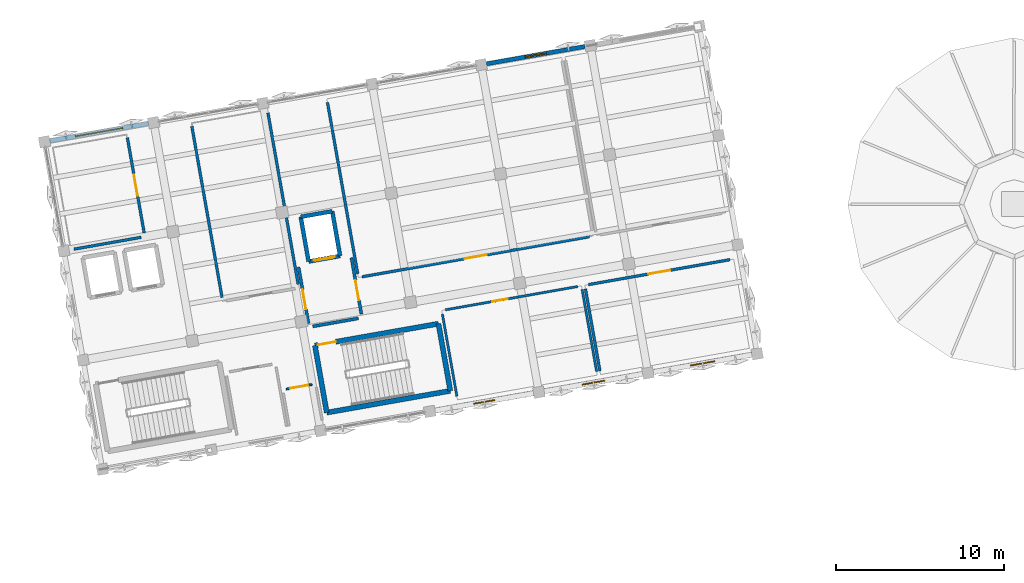
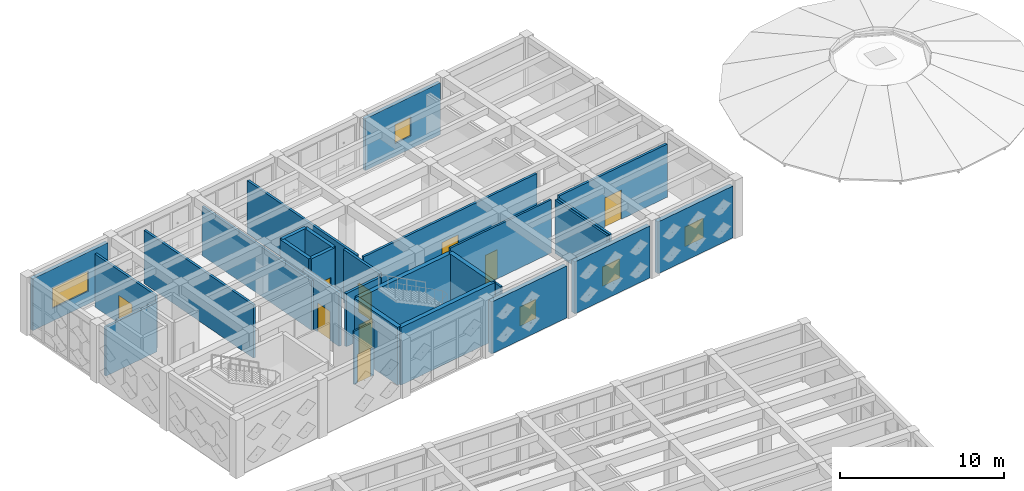
# One storey, part 56 of 67: 28 walls, 9 doors, 5 windows, 14 openings.
"""IFC4 building model written with IfcOpenShell, lengths in metres."""

from ifc_helpers import new_model, si_unit, direction, frame, frame_2d, origin, place, context, subcontext, project, spatial, rectangle, extrude, material, layer, layer_set, type_object, element, fill, save


model = new_model("IFC4")

# Units and contexts
model_context = context("Model", 3, precision=1e-05, world=origin(), true_north=direction((0.0, 1.0)))
body_context = subcontext(model_context, "Body", "Model", "MODEL_VIEW")
ifc_project = project(units=[si_unit("LENGTHUNIT", "METRE"), si_unit("AREAUNIT", "SQUARE_METRE"), si_unit("VOLUMEUNIT", "CUBIC_METRE"), si_unit("PLANEANGLEUNIT", "RADIAN"), si_unit("MASSUNIT", "GRAM", prefix="KILO")], contexts=[model_context])

# Site, building, storey
site_placement = place(None, origin())
site = spatial("IfcSite", under=ifc_project, at=site_placement, CompositionType="ELEMENT")
building_placement = place(site_placement, origin())
building = spatial("IfcBuilding", under=site, at=building_placement, Name="Kharisveld Research Institute", CompositionType="ELEMENT")
storey_placement = place(building_placement, frame((0.0, 0.0, 9.60009765625)))
storey = spatial("IfcBuildingStorey", under=building, at=storey_placement, Name="L02", CompositionType="ELEMENT", Elevation=9.60009765625)

# Walls
ifc_material_1 = material(Name="Concrete C40/50", Category="concrete")
ifc_layer_1 = layer(ifc_material_1, 0.239990234375)
ifc_layer_set_1 = layer_set([ifc_layer_1], Name="WL_CORE_240")
wall_type_1 = type_object("IfcWallType", Name="WL_CORE_240", PredefinedType="SHEAR", material=ifc_layer_set_1)
wall_1_placement = place(storey_placement, frame((17.48828125, 47.3818359375, 0.0), z_axis=(0.0, 0.0, 1.0), x_axis=(-0.173615102578, 0.98481358447, 0.0)))
element("IfcWall", 1, at=wall_1_placement, inside=storey, type_object=wall_type_1, Name="WL:LFT:FFL-01:L02:W", PredefinedType="SHEAR", context=body_context, shape_type="SweptSolid", body=[
    extrude(rectangle(XDim=2.699951171875, YDim=0.239990234375, at=frame_2d((1.35009765625, 0.0))), origin(), (0.0, 0.0, 1.0), 4.27978515625),
])
wall_2_placement = place(storey_placement, frame((17.01953125, 50.040771484375, 0.0), z_axis=(0.0, 0.0, 1.0), x_axis=(0.984815882103, 0.173602068988, 0.0)))
element("IfcWall", 2, at=wall_2_placement, inside=storey, type_object=wall_type_1, Name="WL:LFT:FFL-01:L02:N", PredefinedType="SHEAR", context=body_context, shape_type="SweptSolid", body=[
    extrude(rectangle(XDim=1.89990234375, YDim=0.239990234375, at=frame_2d((0.949951171875, 0.0))), origin(), (0.0, 0.0, 1.0), 4.27978515625),
])
wall_3_placement = place(storey_placement, frame((18.890625, 50.37060546875, 0.0), z_axis=(0.0, 0.0, 1.0), x_axis=(0.173615102578, -0.98481358447, 0.0)))
element("IfcWall", 3, at=wall_3_placement, inside=storey, type_object=wall_type_1, Name="WL:LFT:FFL-01:L02:E", PredefinedType="SHEAR", context=body_context, shape_type="SweptSolid", body=[
    extrude(rectangle(XDim=2.699951171875, YDim=0.239990234375, at=frame_2d((1.35009765625, 0.0))), origin(), (0.0, 0.0, 1.0), 4.27978515625),
])

# Wall, opening, door
wall_4_placement = place(storey_placement, frame((19.359375, 47.711669921875, 0.0), z_axis=(0.0, 0.0, 1.0), x_axis=(-0.984815882103, -0.173602068988, 0.0)))
wall_4 = element("IfcWall", 4, at=wall_4_placement, inside=storey, type_object=wall_type_1, Name="WL:LFT:FFL-01:L02:S", PredefinedType="SHEAR", context=body_context, shape_type="SweptSolid", body=[
    extrude(rectangle(XDim=1.89990234375, YDim=0.239990234375, at=frame_2d((0.949951171875, 0.0))), origin(), (0.0, 0.0, 1.0), 4.27978515625),
])
opening_1_placement = place(wall_4_placement, frame((0.324951171875, 0.0, 0.0)))
opening_1 = element("IfcOpeningElement", 5, at=opening_1_placement, cuts=wall_4, Name="Opening LD-02", PredefinedType="OPENING", context=body_context, shape_type="SweptSolid", body=[
    extrude(rectangle(XDim=1.25, YDim=2.199951171875, at=frame_2d((0.625, 1.10009765625))), frame((0.0, 0.1201171875, 0.0), z_axis=(0.0, -1.0, 0.0), x_axis=(1.0, 0.0, 0.0)), (0.0, 0.0, 1.0), 0.239990234375),
])
ifc_material_2 = material(Name="Flush Painted Hardwood and Anodised Aluminium", Category="wood")
door_type_1 = type_object("IfcDoorType", Name="DR_LFT_125", OperationType="SLIDING_TO_RIGHT", PredefinedType="DOOR", material=ifc_material_2)
door_1_placement = place(opening_1_placement, origin())
door_1 = element("IfcDoor", 6, at=door_1_placement, inside=storey, type_object=door_type_1, Name="FFL-01 Lift Landing Door L02", OperationType="SLIDING_TO_RIGHT", OverallHeight=2.199951171875, OverallWidth=1.25, PredefinedType="DOOR", context=body_context, shape_type="SweptSolid", body=[
    extrude(rectangle(XDim=1.25, YDim=2.199951171875, at=frame_2d((0.625, 1.10009765625))), frame((0.0, 0.02490234375, 0.0), z_axis=(0.0, -1.0, 0.0), x_axis=(1.0, 0.0, 0.0)), (0.0, 0.0, 1.0), 0.050048828125),
])
fill(opening_1, door_1)

# Wall
ifc_material_3 = material(Name="Concrete C40/50", Category="concrete")
ifc_layer_2 = layer(ifc_material_3, 0.300048828125)
ifc_layer_set_2 = layer_set([ifc_layer_2], Name="WL_CORE_300")
wall_type_2 = type_object("IfcWallType", Name="WL_CORE_300", PredefinedType="SHEAR", material=ifc_layer_set_2)
wall_5_placement = place(storey_placement, frame((18.5673828125, 38.382568359375, 0.0), z_axis=(0.0, 0.0, 1.0), x_axis=(-0.173606946886, 0.984815022221, 0.0)))
element("IfcWall", 7, at=wall_5_placement, inside=storey, type_object=wall_type_2, Name="WL:STR:ST2:L02:W", PredefinedType="SHEAR", context=body_context, shape_type="SweptSolid", body=[
    extrude(rectangle(XDim=4.06005859375, YDim=0.300048828125, at=frame_2d((2.030029296875, 0.0))), origin(), (0.0, 0.0, 1.0), 4.27978515625),
])

# Wall, opening, door
wall_6_placement = place(storey_placement, frame((17.862548828125, 42.380859375, 0.0), z_axis=(0.0, 0.0, 1.0), x_axis=(0.984808225754, 0.173645496596, 0.0)))
wall_6 = element("IfcWall", 8, at=wall_6_placement, inside=storey, type_object=wall_type_2, Name="WL:STR:ST2:L02:N", PredefinedType="SHEAR", context=body_context, shape_type="SweptSolid", body=[
    extrude(rectangle(XDim=7.469970703125, YDim=0.300048828125, at=frame_2d((3.73486328125, 0.0))), origin(), (0.0, 0.0, 1.0), 4.27978515625),
])
opening_2_placement = place(wall_6_placement, frame((0.179931640625, 0.0, 0.0)))
opening_2 = element("IfcOpeningElement", 9, at=opening_2_placement, cuts=wall_6, Name="Opening DS-017", PredefinedType="OPENING", context=body_context, shape_type="SweptSolid", body=[
    extrude(rectangle(XDim=1.080078125, YDim=2.14990234375, at=frame_2d((0.5400390625, 1.074951171875))), frame((0.0, 0.14990234375, 0.0), z_axis=(0.0, -1.0, 0.0), x_axis=(1.0, 0.0, 0.0)), (0.0, 0.0, 1.0), 0.300048828125),
])
ifc_material_4 = material(Name="Flush Painted Hardwood and Anodised Aluminium", Category="wood")
door_type_2 = type_object("IfcDoorType", Name="DR_FD60_108", OperationType="NOTDEFINED", PredefinedType="DOOR", material=ifc_material_4)
door_2_placement = place(opening_2_placement, origin())
door_2 = element("IfcDoor", 10, at=door_2_placement, inside=storey, type_object=door_type_2, Name="DR:STR:ST2:L02", OperationType="SINGLE_SWING_RIGHT", OverallHeight=2.14990234375, OverallWidth=1.080078125, PredefinedType="DOOR", context=body_context, shape_type="SweptSolid", body=[
    extrude(rectangle(XDim=1.080078125, YDim=2.14990234375, at=frame_2d((0.5400390625, 1.074951171875))), frame((0.0, 0.02490234375, 0.0), z_axis=(0.0, -1.0, 0.0), x_axis=(1.0, 0.0, 0.0)), (0.0, 0.0, 1.0), 0.050048828125),
])
fill(opening_2, door_2)

# Walls
wall_7_placement = place(storey_placement, frame((25.218994140625, 43.677978515625, 0.0), z_axis=(0.0, 0.0, 1.0), x_axis=(0.173665267602, -0.984804739443, 0.0)))
element("IfcWall", 11, at=wall_7_placement, inside=storey, type_object=wall_type_2, Name="WL:STR:ST2:L02:E", PredefinedType="SHEAR", context=body_context, shape_type="SweptSolid", body=[
    extrude(rectangle(XDim=4.06005859375, YDim=0.300048828125, at=frame_2d((2.030029296875, 0.0))), origin(), (0.0, 0.0, 1.0), 4.27978515625),
])
wall_8_placement = place(storey_placement, frame((25.924072265625, 39.6796875, 0.0), z_axis=(0.0, 0.0, 1.0), x_axis=(-0.984809211193, -0.173639907711, 0.0)))
element("IfcWall", 12, at=wall_8_placement, inside=storey, type_object=wall_type_2, Name="WL:STR:ST2:L02:S", PredefinedType="SHEAR", context=body_context, shape_type="SweptSolid", body=[
    extrude(rectangle(XDim=7.47021484375, YDim=0.300048828125, at=frame_2d((3.735107421875, 0.0))), origin(), (0.0, 0.0, 1.0), 4.27978515625),
])

# Wall, opening, window
ifc_material_5 = material(Name="Lightweight Acoustic Spandrel", Category="mineral")
ifc_layer_3 = layer(ifc_material_5, 0.2451171875)
ifc_layer_set_3 = layer_set([ifc_layer_3], Name="WL_EXT_245")
wall_type_3 = type_object("IfcWallType", Name="WL_EXT_245", PredefinedType="STANDARD", material=ifc_layer_set_3)
wall_9_placement = place(storey_placement, frame((2.076904296875, 54.564697265625, 0.0), z_axis=(0.0, 0.0, 1.0), x_axis=(0.98480829201, 0.173645120828, 0.0)))
wall_9 = element("IfcWall", 13, at=wall_9_placement, inside=storey, type_object=wall_type_3, Name="WL:V1:L02:N0", PredefinedType="STANDARD", context=body_context, shape_type="SweptSolid", body=[
    extrude(rectangle(XDim=5.9599609375, YDim=0.2451171875, at=frame_2d((2.97998046875, 0.0))), origin(), (0.0, 0.0, 1.0), 3.85498046875),
])
opening_3_placement = place(wall_9_placement, frame((1.554931640625, 0.0, 0.949951171875)))
opening_3 = element("IfcOpeningElement", 14, at=opening_3_placement, cuts=wall_9, Name="Opening WN-18", PredefinedType="OPENING", context=body_context, shape_type="SweptSolid", body=[
    extrude(rectangle(XDim=2.85009765625, YDim=1.5, at=frame_2d((1.425048828125, 0.75))), frame((0.0, 0.12255859375, 0.0), z_axis=(0.0, -1.0, 0.0), x_axis=(1.0, 0.0, 0.0)), (0.0, 0.0, 1.0), 0.2451171875),
])
ifc_material_6 = material(Name="Low-E Double Glazing", Category="glass")
window_type_1 = type_object("IfcWindowType", Name="WN_18", PartitioningType="TRIPLE_PANEL_VERTICAL", PredefinedType="WINDOW", material=ifc_material_6)
window_1_placement = place(opening_3_placement, origin())
window_1 = element("IfcWindow", 15, at=window_1_placement, inside=storey, type_object=window_type_1, Name="WN:V1:L02:N0", OverallHeight=1.5, OverallWidth=2.85009765625, PartitioningType="SINGLE_PANEL", PredefinedType="WINDOW", context=body_context, shape_type="SweptSolid", body=[
    extrude(rectangle(XDim=2.85009765625, YDim=1.5, at=frame_2d((1.425048828125, 0.75))), frame((0.0, 0.030029296875, 0.0), z_axis=(0.0, -1.0, 0.0), x_axis=(1.0, 0.0, 0.0)), (0.0, 0.0, 1.0), 0.06005859375),
])
fill(opening_3, window_1)

wall_10_placement = place(storey_placement, frame((28.075927734375, 59.149169921875, 0.0), z_axis=(0.0, 0.0, 1.0), x_axis=(0.98480829201, 0.173645120828, 0.0)))
wall_10 = element("IfcWall", 16, at=wall_10_placement, inside=storey, type_object=wall_type_3, Name="WL:V1:L02:N4", PredefinedType="STANDARD", context=body_context, shape_type="SweptSolid", body=[
    extrude(rectangle(XDim=5.9599609375, YDim=0.2451171875, at=frame_2d((2.97998046875, 0.0))), origin(), (0.0, 0.0, 1.0), 3.85498046875),
])
opening_4_placement = place(wall_10_placement, frame((2.340087890625, 0.0, 0.949951171875)))
opening_4 = element("IfcOpeningElement", 17, at=opening_4_placement, cuts=wall_10, Name="Opening WN-22", PredefinedType="OPENING", context=body_context, shape_type="SweptSolid", body=[
    extrude(rectangle(XDim=1.280029296875, YDim=1.39990234375, at=frame_2d((0.64013671875, 0.699951171875))), frame((0.0, 0.12255859375, 0.0), z_axis=(0.0, -1.0, 0.0), x_axis=(1.0, 0.0, 0.0)), (0.0, 0.0, 1.0), 0.2451171875),
])
ifc_material_7 = material(Name="Low-E Double Glazing", Category="glass")
window_type_2 = type_object("IfcWindowType", Name="WN_22", PartitioningType="DOUBLE_PANEL_VERTICAL", PredefinedType="WINDOW", material=ifc_material_7)
window_2_placement = place(opening_4_placement, origin())
window_2 = element("IfcWindow", 18, at=window_2_placement, inside=storey, type_object=window_type_2, Name="WN:V1:L02:N4", OverallHeight=1.39990234375, OverallWidth=1.280029296875, PartitioningType="SINGLE_PANEL", PredefinedType="WINDOW", context=body_context, shape_type="SweptSolid", body=[
    extrude(rectangle(XDim=1.280029296875, YDim=1.39990234375, at=frame_2d((0.64013671875, 0.699951171875))), frame((0.0, 0.030029296875, 0.0), z_axis=(0.0, -1.0, 0.0), x_axis=(1.0, 0.0, 0.0)), (0.0, 0.0, 1.0), 0.06005859375),
])
fill(opening_4, window_2)

ifc_material_8 = material(Name="Precast Concrete C40/50 Ochre Panel", Category="concrete")
ifc_layer_4 = layer(ifc_material_8, 0.304931640625)
ifc_layer_set_4 = layer_set([ifc_layer_4], Name="WL_EXT_305")
wall_type_4 = type_object("IfcWallType", Name="WL_EXT_305", PredefinedType="STANDARD", material=ifc_layer_set_4)
wall_11_placement = place(storey_placement, frame((43.88330078125, 41.830810546875, 0.0), z_axis=(0.0, 0.0, 1.0), x_axis=(-0.98480829201, -0.173645120828, 0.0)))
wall_11 = element("IfcWall", 19, at=wall_11_placement, inside=storey, type_object=wall_type_4, Name="WL:V1:L02:S6", PredefinedType="STANDARD", context=body_context, shape_type="SweptSolid", body=[
    extrude(rectangle(XDim=5.9599609375, YDim=0.304931640625, at=frame_2d((2.97998046875, 0.0))), origin(), (0.0, 0.0, 1.0), 3.85498046875),
])
opening_5_placement = place(wall_11_placement, frame((2.25, 0.0, 0.949951171875)))
opening_5 = element("IfcOpeningElement", 20, at=opening_5_placement, cuts=wall_11, Name="Opening WN-24", PredefinedType="OPENING", context=body_context, shape_type="SweptSolid", body=[
    extrude(rectangle(XDim=1.4599609375, YDim=1.43994140625, at=frame_2d((0.72998046875, 0.719970703125))), frame((0.0, 0.15234375, 0.0), z_axis=(0.0, -1.0, 0.0), x_axis=(1.0, 0.0, 0.0)), (0.0, 0.0, 1.0), 0.304931640625),
])
ifc_material_9 = material(Name="Low-E Double Glazing", Category="glass")
window_type_3 = type_object("IfcWindowType", Name="WN_24", PartitioningType="DOUBLE_PANEL_VERTICAL", PredefinedType="WINDOW", material=ifc_material_9)
window_3_placement = place(opening_5_placement, origin())
window_3 = element("IfcWindow", 21, at=window_3_placement, inside=storey, type_object=window_type_3, Name="WN:V1:L02:S6", OverallHeight=1.43994140625, OverallWidth=1.4599609375, PartitioningType="SINGLE_PANEL", PredefinedType="WINDOW", context=body_context, shape_type="SweptSolid", body=[
    extrude(rectangle(XDim=1.4599609375, YDim=1.43994140625, at=frame_2d((0.72998046875, 0.719970703125))), frame((0.0, 0.030029296875, 0.0), z_axis=(0.0, -1.0, 0.0), x_axis=(1.0, 0.0, 0.0)), (0.0, 0.0, 1.0), 0.06005859375),
])
fill(opening_5, window_3)

wall_12_placement = place(storey_placement, frame((37.383544921875, 40.684814453125, 0.0), z_axis=(0.0, 0.0, 1.0), x_axis=(-0.98480829201, -0.173645120828, 0.0)))
wall_12 = element("IfcWall", 22, at=wall_12_placement, inside=storey, type_object=wall_type_4, Name="WL:V1:L02:S5", PredefinedType="STANDARD", context=body_context, shape_type="SweptSolid", body=[
    extrude(rectangle(XDim=5.9599609375, YDim=0.304931640625, at=frame_2d((2.97998046875, 0.0))), origin(), (0.0, 0.0, 1.0), 3.85498046875),
])
opening_6_placement = place(wall_12_placement, frame((2.294921875, 0.0, 0.949951171875)))
opening_6 = element("IfcOpeningElement", 23, at=opening_6_placement, cuts=wall_12, Name="Opening WN-23", PredefinedType="OPENING", context=body_context, shape_type="SweptSolid", body=[
    extrude(rectangle(XDim=1.3701171875, YDim=1.419921875, at=frame_2d((0.68505859375, 0.7099609375))), frame((0.0, 0.15234375, 0.0), z_axis=(0.0, -1.0, 0.0), x_axis=(1.0, 0.0, 0.0)), (0.0, 0.0, 1.0), 0.304931640625),
])
ifc_material_10 = material(Name="Low-E Double Glazing", Category="glass")
window_type_4 = type_object("IfcWindowType", Name="WN_23", PartitioningType="DOUBLE_PANEL_VERTICAL", PredefinedType="WINDOW", material=ifc_material_10)
window_4_placement = place(opening_6_placement, origin())
window_4 = element("IfcWindow", 24, at=window_4_placement, inside=storey, type_object=window_type_4, Name="WN:V1:L02:S5", OverallHeight=1.419921875, OverallWidth=1.3701171875, PartitioningType="SINGLE_PANEL", PredefinedType="WINDOW", context=body_context, shape_type="SweptSolid", body=[
    extrude(rectangle(XDim=1.3701171875, YDim=1.419921875, at=frame_2d((0.68505859375, 0.7099609375))), frame((0.0, 0.030029296875, 0.0), z_axis=(0.0, -1.0, 0.0), x_axis=(1.0, 0.0, 0.0)), (0.0, 0.0, 1.0), 0.06005859375),
])
fill(opening_6, window_4)

wall_13_placement = place(storey_placement, frame((30.8837890625, 39.538818359375, 0.0), z_axis=(0.0, 0.0, 1.0), x_axis=(-0.98480829201, -0.173645120828, 0.0)))
wall_13 = element("IfcWall", 25, at=wall_13_placement, inside=storey, type_object=wall_type_4, Name="WL:V1:L02:S4", PredefinedType="STANDARD", context=body_context, shape_type="SweptSolid", body=[
    extrude(rectangle(XDim=5.9599609375, YDim=0.304931640625, at=frame_2d((2.97998046875, 0.0))), origin(), (0.0, 0.0, 1.0), 3.85498046875),
])
opening_7_placement = place(wall_13_placement, frame((2.340087890625, 0.0, 0.949951171875)))
opening_7 = element("IfcOpeningElement", 26, at=opening_7_placement, cuts=wall_13, Name="Opening WN-22", PredefinedType="OPENING", context=body_context, shape_type="SweptSolid", body=[
    extrude(rectangle(XDim=1.280029296875, YDim=1.39990234375, at=frame_2d((0.64013671875, 0.699951171875))), frame((0.0, 0.15234375, 0.0), z_axis=(0.0, -1.0, 0.0), x_axis=(1.0, 0.0, 0.0)), (0.0, 0.0, 1.0), 0.304931640625),
])
window_5_placement = place(opening_7_placement, origin())
window_5 = element("IfcWindow", 27, at=window_5_placement, inside=storey, type_object=window_type_2, Name="WN:V1:L02:S4", OverallHeight=1.39990234375, OverallWidth=1.280029296875, PartitioningType="SINGLE_PANEL", PredefinedType="WINDOW", context=body_context, shape_type="SweptSolid", body=[
    extrude(rectangle(XDim=1.280029296875, YDim=1.39990234375, at=frame_2d((0.64013671875, 0.699951171875))), frame((0.0, 0.030029296875, 0.0), z_axis=(0.0, -1.0, 0.0), x_axis=(1.0, 0.0, 0.0)), (0.0, 0.0, 1.0), 0.06005859375),
])
fill(opening_7, window_5)

# Wall
ifc_material_11 = material(Name="Acoustic Drywall Partition", Category="mineral")
ifc_layer_5 = layer(ifc_material_11, 0.1650390625)
ifc_layer_set_5 = layer_set([ifc_layer_5], Name="WL_LAB_165")
wall_type_5 = type_object("IfcWallType", Name="WL_LAB_165", PredefinedType="PARTITIONING", material=ifc_layer_set_5)
wall_14_placement = place(storey_placement, frame((3.518310546875, 48.1171875, 0.0), z_axis=(0.0, 0.0, 1.0), x_axis=(0.984816834462, 0.173596666326, 0.0)))
element("IfcWall", 28, at=wall_14_placement, inside=storey, type_object=wall_type_5, Name="WL:RM:V1:L02:NW:S", PredefinedType="PARTITIONING", context=body_context, shape_type="SweptSolid", body=[
    extrude(rectangle(XDim=4.060302734375, YDim=0.1650390625, at=frame_2d((2.0302734375, 0.0))), origin(), (0.0, 0.0, 1.0), 3.65478515625),
])

# Wall, opening, door
wall_15_placement = place(storey_placement, frame((7.6953125, 49.076904296875, 0.0), z_axis=(0.0, 0.0, 1.0), x_axis=(-0.173649928941, 0.984807444214, 0.0)))
wall_15 = element("IfcWall", 29, at=wall_15_placement, inside=storey, type_object=wall_type_5, Name="WL:RM:V1:L02:NW:E", PredefinedType="PARTITIONING", context=body_context, shape_type="SweptSolid", body=[
    extrude(rectangle(XDim=5.760009765625, YDim=0.1650390625, at=frame_2d((2.8798828125, 0.0))), origin(), (0.0, 0.0, 1.0), 3.949951171875),
])
opening_8_placement = place(wall_15_placement, frame((2.2451171875, 0.0, 0.0)))
opening_8 = element("IfcOpeningElement", 30, at=opening_8_placement, cuts=wall_15, Name="Opening DI-085", PredefinedType="OPENING", context=body_context, shape_type="SweptSolid", body=[
    extrude(rectangle(XDim=1.27001953125, YDim=2.080078125, at=frame_2d((0.635009765625, 1.0400390625))), frame((0.0, 0.08251953125, 0.0), z_axis=(0.0, -1.0, 0.0), x_axis=(1.0, 0.0, 0.0)), (0.0, 0.0, 1.0), 0.1650390625),
])
ifc_material_12 = material(Name="Flush Painted Hardwood and Anodised Aluminium", Category="wood")
door_type_3 = type_object("IfcDoorType", Name="DR_VAR_13", OperationType="NOTDEFINED", PredefinedType="DOOR", material=ifc_material_12)
door_3_placement = place(opening_8_placement, origin())
door_3 = element("IfcDoor", 31, at=door_3_placement, inside=storey, type_object=door_type_3, Name="DR:RM:V1:L02:NW:E", OperationType="SINGLE_SWING_LEFT", OverallHeight=2.080078125, OverallWidth=1.27001953125, PredefinedType="DOOR", context=body_context, shape_type="SweptSolid", body=[
    extrude(rectangle(XDim=1.27001953125, YDim=2.080078125, at=frame_2d((0.635009765625, 1.0400390625))), frame((0.0, 0.02490234375, 0.0), z_axis=(0.0, -1.0, 0.0), x_axis=(1.0, 0.0, 0.0)), (0.0, 0.0, 1.0), 0.050048828125),
])
fill(opening_8, door_3)

# Walls
wall_16_placement = place(storey_placement, frame((16.86474609375, 46.02294921875, 0.0), z_axis=(0.0, 0.0, 1.0), x_axis=(-0.173632075677, 0.984810592092, 0.0)))
element("IfcWall", 32, at=wall_16_placement, inside=storey, type_object=wall_type_5, Name="WL:RM:V1:L02:N1:E", PredefinedType="PARTITIONING", context=body_context, shape_type="SweptSolid", body=[
    extrude(rectangle(XDim=10.360107421875, YDim=0.1650390625, at=frame_2d((5.18017578125, 0.0))), origin(), (0.0, 0.0, 1.0), 3.65478515625),
])
wall_17_placement = place(storey_placement, frame((10.53564453125, 55.4267578125, 0.0), z_axis=(0.0, 0.0, 1.0), x_axis=(0.173654930775, -0.984806562233, 0.0)))
element("IfcWall", 33, at=wall_17_placement, inside=storey, type_object=wall_type_5, Name="WL:RM:V1:L02:N1:W", PredefinedType="PARTITIONING", context=body_context, shape_type="SweptSolid", body=[
    extrude(rectangle(XDim=10.360107421875, YDim=0.1650390625, at=frame_2d((5.18017578125, 0.0))), origin(), (0.0, 0.0, 1.0), 3.949951171875),
])

# Wall, opening, door
wall_18_placement = place(storey_placement, frame((20.6650390625, 46.469482421875, 0.0), z_axis=(0.0, 0.0, 1.0), x_axis=(0.984807841198, 0.173647677539, 0.0)))
wall_18 = element("IfcWall", 34, at=wall_18_placement, inside=storey, type_object=wall_type_5, Name="WL:RM:V1:L02:N2:S", PredefinedType="PARTITIONING", context=body_context, shape_type="SweptSolid", body=[
    extrude(rectangle(XDim=13.760009765625, YDim=0.1650390625, at=frame_2d((6.8798828125, 0.0))), origin(), (0.0, 0.0, 1.0), 3.85498046875),
])
opening_9_placement = place(wall_18_placement, frame((6.215087890625, 0.0, 0.0)))
opening_9 = element("IfcOpeningElement", 35, at=opening_9_placement, cuts=wall_18, Name="Opening DI-087", PredefinedType="OPENING", context=body_context, shape_type="SweptSolid", body=[
    extrude(rectangle(XDim=1.330078125, YDim=2.1201171875, at=frame_2d((0.6650390625, 1.06005859375))), frame((0.0, 0.08251953125, 0.0), z_axis=(0.0, -1.0, 0.0), x_axis=(1.0, 0.0, 0.0)), (0.0, 0.0, 1.0), 0.1650390625),
])
ifc_material_13 = material(Name="Flush Painted Hardwood and Anodised Aluminium", Category="wood")
door_type_4 = type_object("IfcDoorType", Name="DR_VAR_15", OperationType="NOTDEFINED", PredefinedType="DOOR", material=ifc_material_13)
door_4_placement = place(opening_9_placement, origin())
door_4 = element("IfcDoor", 36, at=door_4_placement, inside=storey, type_object=door_type_4, Name="DR:RM:V1:L02:N2:S", OperationType="SINGLE_SWING_LEFT", OverallHeight=2.1201171875, OverallWidth=1.330078125, PredefinedType="DOOR", context=body_context, shape_type="SweptSolid", body=[
    extrude(rectangle(XDim=1.330078125, YDim=2.1201171875, at=frame_2d((0.6650390625, 1.06005859375))), frame((0.0, 0.02490234375, 0.0), z_axis=(0.0, -1.0, 0.0), x_axis=(1.0, 0.0, 0.0)), (0.0, 0.0, 1.0), 0.050048828125),
])
fill(opening_9, door_4)

# Wall
wall_19_placement = place(storey_placement, frame((18.611083984375, 56.8505859375, 0.0), z_axis=(0.0, 0.0, 1.0), x_axis=(0.173654930775, -0.984806562233, 0.0)))
element("IfcWall", 37, at=wall_19_placement, inside=storey, type_object=wall_type_5, Name="WL:RM:V1:L02:N2:W", PredefinedType="PARTITIONING", context=body_context, shape_type="SweptSolid", body=[
    extrude(rectangle(XDim=10.360107421875, YDim=0.1650390625, at=frame_2d((5.18017578125, 0.0))), origin(), (0.0, 0.0, 1.0), 3.949951171875),
])

# Wall, opening, door
wall_20_placement = place(storey_placement, frame((42.58056640625, 47.49072265625, 0.0), z_axis=(0.0, 0.0, 1.0), x_axis=(-0.984804798714, -0.173664931489, 0.0)))
wall_20 = element("IfcWall", 38, at=wall_20_placement, inside=storey, type_object=wall_type_5, Name="WL:RM:V1:L02:S2:N", PredefinedType="PARTITIONING", context=body_context, shape_type="SweptSolid", body=[
    extrude(rectangle(XDim=8.56005859375, YDim=0.1650390625, at=frame_2d((4.280029296875, 0.0))), origin(), (0.0, 0.0, 1.0), 3.949951171875),
])
opening_10_placement = place(wall_20_placement, frame((3.6298828125, 0.0, 0.0)))
opening_10 = element("IfcOpeningElement", 39, at=opening_10_placement, cuts=wall_20, Name="Opening DI-090", PredefinedType="OPENING", context=body_context, shape_type="SweptSolid", body=[
    extrude(rectangle(XDim=1.300048828125, YDim=2.179931640625, at=frame_2d((0.64990234375, 1.08984375))), frame((0.0, 0.08251953125, 0.0), z_axis=(0.0, -1.0, 0.0), x_axis=(1.0, 0.0, 0.0)), (0.0, 0.0, 1.0), 0.1650390625),
])
ifc_material_14 = material(Name="Flush Painted Hardwood and Anodised Aluminium", Category="wood")
door_type_5 = type_object("IfcDoorType", Name="DR_SEM_130", OperationType="DOUBLE_DOOR_SINGLE_SWING", PredefinedType="DOOR", material=ifc_material_14)
door_5_placement = place(opening_10_placement, origin())
door_5 = element("IfcDoor", 40, at=door_5_placement, inside=storey, type_object=door_type_5, Name="DR:RM:V1:L02:S2:N", OperationType="DOUBLE_DOOR_SINGLE_SWING", OverallHeight=2.179931640625, OverallWidth=1.300048828125, PredefinedType="DOOR", context=body_context, shape_type="SweptSolid", body=[
    extrude(rectangle(XDim=1.300048828125, YDim=2.179931640625, at=frame_2d((0.64990234375, 1.08984375))), frame((0.0, 0.02490234375, 0.0), z_axis=(0.0, -1.0, 0.0), x_axis=(1.0, 0.0, 0.0)), (0.0, 0.0, 1.0), 0.050048828125),
])
fill(opening_10, door_5)

# Walls
wall_21_placement = place(storey_placement, frame((33.97216796875, 45.74951171875, 0.0), z_axis=(0.0, 0.0, 1.0), x_axis=(0.173650553511, -0.984807334084, 0.0)))
element("IfcWall", 41, at=wall_21_placement, inside=storey, type_object=wall_type_5, Name="WL:RM:V1:L02:S2:W", PredefinedType="PARTITIONING", context=body_context, shape_type="SweptSolid", body=[
    extrude(rectangle(XDim=4.960205078125, YDim=0.1650390625, at=frame_2d((2.47998046875, 0.0))), origin(), (0.0, 0.0, 1.0), 3.949951171875),
])
ifc_material_15 = material(Name="Masonry Blockwork", Category="masonry")
ifc_layer_6 = layer(ifc_material_15, 0.18505859375)
ifc_layer_set_6 = layer_set([ifc_layer_6], Name="WL_LOB_185")
wall_type_6 = type_object("IfcWallType", Name="WL_LOB_185", PredefinedType="SOLIDWALL", material=ifc_layer_set_6)
wall_22_placement = place(storey_placement, frame((17.7333984375, 43.515625, 0.0), z_axis=(0.0, 0.0, 1.0), x_axis=(0.984808483292, 0.173644035992, 0.0)))
element("IfcWall", 42, at=wall_22_placement, inside=storey, type_object=wall_type_6, Name="WL:RM:V1:L02:FFL:S", PredefinedType="SOLIDWALL", context=body_context, shape_type="SweptSolid", body=[
    extrude(rectangle(XDim=2.760009765625, YDim=0.18505859375, at=frame_2d((1.3798828125, 0.0))), origin(), (0.0, 0.0, 1.0), 3.949951171875),
])

# Wall, opening, door
wall_23_placement = place(storey_placement, frame((20.6298828125, 44.249755859375, 0.0), z_axis=(0.0, 0.0, 1.0), x_axis=(-0.173621956536, 0.984812376145, 0.0)))
wall_23 = element("IfcWall", 43, at=wall_23_placement, inside=storey, type_object=wall_type_6, Name="WL:RM:V1:L02:FFL:E", PredefinedType="SOLIDWALL", context=body_context, shape_type="SweptSolid", body=[
    extrude(rectangle(XDim=3.409912109375, YDim=0.18505859375, at=frame_2d((1.705078125, 0.0))), origin(), (0.0, 0.0, 1.0), 3.949951171875),
])
opening_11_placement = place(wall_23_placement, frame((0.85009765625, 0.0, 0.0)))
opening_11 = element("IfcOpeningElement", 44, at=opening_11_placement, cuts=wall_23, Name="Opening DI-081", PredefinedType="OPENING", context=body_context, shape_type="SweptSolid", body=[
    extrude(rectangle(XDim=1.199951171875, YDim=2.14990234375, at=frame_2d((0.60009765625, 1.074951171875))), frame((0.0, 0.092529296875, 0.0), z_axis=(0.0, -1.0, 0.0), x_axis=(1.0, 0.0, 0.0)), (0.0, 0.0, 1.0), 0.18505859375),
])
ifc_material_16 = material(Name="Flush Painted Hardwood and Anodised Aluminium", Category="wood")
door_type_6 = type_object("IfcDoorType", Name="DR_FD120_120", OperationType="NOTDEFINED", PredefinedType="DOOR", material=ifc_material_16)
door_6_placement = place(opening_11_placement, origin())
door_6 = element("IfcDoor", 45, at=door_6_placement, inside=storey, type_object=door_type_6, Name="DR:RM:V1:L02:FFL:E", OperationType="SINGLE_SWING_LEFT", OverallHeight=2.14990234375, OverallWidth=1.199951171875, PredefinedType="DOOR", context=body_context, shape_type="SweptSolid", body=[
    extrude(rectangle(XDim=1.199951171875, YDim=2.14990234375, at=frame_2d((0.60009765625, 1.074951171875))), frame((0.0, 0.02490234375, 0.0), z_axis=(0.0, -1.0, 0.0), x_axis=(1.0, 0.0, 0.0)), (0.0, 0.0, 1.0), 0.050048828125),
])
fill(opening_11, door_6)

wall_24_placement = place(storey_placement, frame((16.886474609375, 47.05224609375, 0.0), z_axis=(0.0, 0.0, 1.0), x_axis=(0.173621956536, -0.984812376145, 0.0)))
wall_24 = element("IfcWall", 46, at=wall_24_placement, inside=storey, type_object=wall_type_6, Name="WL:RM:V1:L02:FFL:W", PredefinedType="SOLIDWALL", context=body_context, shape_type="SweptSolid", body=[
    extrude(rectangle(XDim=3.409912109375, YDim=0.18505859375, at=frame_2d((1.705078125, 0.0))), origin(), (0.0, 0.0, 1.0), 3.949951171875),
])
opening_12_placement = place(wall_24_placement, frame((1.360107421875, 0.0, 0.0)))
opening_12 = element("IfcOpeningElement", 47, at=opening_12_placement, cuts=wall_24, Name="Opening DI-082", PredefinedType="OPENING", context=body_context, shape_type="SweptSolid", body=[
    extrude(rectangle(XDim=1.199951171875, YDim=2.14990234375, at=frame_2d((0.60009765625, 1.074951171875))), frame((0.0, 0.092529296875, 0.0), z_axis=(0.0, -1.0, 0.0), x_axis=(1.0, 0.0, 0.0)), (0.0, 0.0, 1.0), 0.18505859375),
])
door_7_placement = place(opening_12_placement, origin())
door_7 = element("IfcDoor", 48, at=door_7_placement, inside=storey, type_object=door_type_6, Name="DR:RM:V1:L02:FFL:W", OperationType="SINGLE_SWING_RIGHT", OverallHeight=2.14990234375, OverallWidth=1.199951171875, PredefinedType="DOOR", context=body_context, shape_type="SweptSolid", body=[
    extrude(rectangle(XDim=1.199951171875, YDim=2.14990234375, at=frame_2d((0.60009765625, 1.074951171875))), frame((0.0, 0.02490234375, 0.0), z_axis=(0.0, -1.0, 0.0), x_axis=(1.0, 0.0, 0.0)), (0.0, 0.0, 1.0), 0.050048828125),
])
fill(opening_12, door_7)

# Wall
ifc_material_17 = material(Name="Insulated Stud Partition", Category="mineral")
ifc_layer_7 = layer(ifc_material_17, 0.139892578125)
ifc_layer_set_7 = layer_set([ifc_layer_7], Name="WL_OFF_140")
wall_type_7 = type_object("IfcWallType", Name="WL_OFF_140", PredefinedType="PARTITIONING", material=ifc_layer_set_7)
wall_25_placement = place(storey_placement, frame((34.636474609375, 40.830078125, 0.0), z_axis=(0.0, 0.0, 1.0), x_axis=(-0.173611232021, 0.984814266812, 0.0)))
element("IfcWall", 49, at=wall_25_placement, inside=storey, type_object=wall_type_7, Name="WL:RM:V1:L02:S1:E", PredefinedType="PARTITIONING", context=body_context, shape_type="SweptSolid", body=[
    extrude(rectangle(XDim=4.9599609375, YDim=0.139892578125, at=frame_2d((2.47998046875, 0.0))), origin(), (0.0, 0.0, 1.0), 3.949951171875),
])

# Wall, opening, door
wall_26_placement = place(storey_placement, frame((33.5205078125, 45.89306640625, 0.0), z_axis=(0.0, 0.0, 1.0), x_axis=(-0.984809322237, -0.173639277917, 0.0)))
wall_26 = element("IfcWall", 50, at=wall_26_placement, inside=storey, type_object=wall_type_7, Name="WL:RM:V1:L02:S1:N", PredefinedType="PARTITIONING", context=body_context, shape_type="SweptSolid", body=[
    extrude(rectangle(XDim=8.010009765625, YDim=0.139892578125, at=frame_2d((4.0048828125, 0.0))), origin(), (0.0, 0.0, 1.0), 3.949951171875),
])
opening_13_placement = place(wall_26_placement, frame((4.241943359375, 0.0, 0.0)))
opening_13 = element("IfcOpeningElement", 51, at=opening_13_placement, cuts=wall_26, Name="Opening DI-089", PredefinedType="OPENING", context=body_context, shape_type="SweptSolid", body=[
    extrude(rectangle(XDim=0.93994140625, YDim=2.1201171875, at=frame_2d((0.469970703125, 1.06005859375))), frame((0.0, 0.06982421875, 0.0), z_axis=(0.0, -1.0, 0.0), x_axis=(1.0, 0.0, 0.0)), (0.0, 0.0, 1.0), 0.139892578125),
])
ifc_material_18 = material(Name="Flush Painted Hardwood and Anodised Aluminium", Category="wood")
door_type_7 = type_object("IfcDoorType", Name="DR_OFF_094", OperationType="NOTDEFINED", PredefinedType="DOOR", material=ifc_material_18)
door_8_placement = place(opening_13_placement, origin())
door_8 = element("IfcDoor", 52, at=door_8_placement, inside=storey, type_object=door_type_7, Name="DR:RM:V1:L02:S1:N", OperationType="SINGLE_SWING_LEFT", OverallHeight=2.1201171875, OverallWidth=0.93994140625, PredefinedType="DOOR", context=body_context, shape_type="SweptSolid", body=[
    extrude(rectangle(XDim=0.93994140625, YDim=2.1201171875, at=frame_2d((0.469970703125, 1.06005859375))), frame((0.0, 0.02490234375, 0.0), z_axis=(0.0, -1.0, 0.0), x_axis=(1.0, 0.0, 0.0)), (0.0, 0.0, 1.0), 0.050048828125),
])
fill(opening_13, door_8)

# Wall
wall_27_placement = place(storey_placement, frame((25.45361328125, 44.247314453125, 0.0), z_axis=(0.0, 0.0, 1.0), x_axis=(0.173658971256, -0.98480584975, 0.0)))
element("IfcWall", 53, at=wall_27_placement, inside=storey, type_object=wall_type_7, Name="WL:RM:V1:L02:S1:W", PredefinedType="PARTITIONING", context=body_context, shape_type="SweptSolid", body=[
    extrude(rectangle(XDim=4.9599609375, YDim=0.139892578125, at=frame_2d((2.47998046875, 0.0))), origin(), (0.0, 0.0, 1.0), 3.949951171875),
])

# Wall, opening, door
ifc_material_19 = material(Name="Moisture-Resistant Partition", Category="mineral")
ifc_layer_8 = layer(ifc_material_19, 0.114990234375)
ifc_layer_set_8 = layer_set([ifc_layer_8], Name="WL_WC_115")
wall_type_8 = type_object("IfcWallType", Name="WL_WC_115", PredefinedType="PARTITIONING", material=ifc_layer_set_8)
wall_28_placement = place(storey_placement, frame((17.693603515625, 40.05615234375, 0.0), z_axis=(0.0, 0.0, 1.0), x_axis=(-0.984797734253, -0.173704987291, 0.0)))
wall_28 = element("IfcWall", 54, at=wall_28_placement, inside=storey, type_object=wall_type_8, Name="WL:RM:V1:L02:WCA:N", PredefinedType="PARTITIONING", context=body_context, shape_type="SweptSolid", body=[
    extrude(rectangle(XDim=1.56005859375, YDim=0.114990234375, at=frame_2d((0.780029296875, 0.0))), origin(), (0.0, 0.0, 1.0), 3.949951171875),
])
opening_14_placement = place(wall_28_placement, frame((0.25, 0.0, 0.0)))
opening_14 = element("IfcOpeningElement", 55, at=opening_14_placement, cuts=wall_28, Name="Opening DI-084", PredefinedType="OPENING", context=body_context, shape_type="SweptSolid", body=[
    extrude(rectangle(XDim=1.06005859375, YDim=2.1201171875, at=frame_2d((0.530029296875, 1.06005859375))), frame((0.0, 0.0576171875, 0.0), z_axis=(0.0, -1.0, 0.0), x_axis=(1.0, 0.0, 0.0)), (0.0, 0.0, 1.0), 0.114990234375),
])
ifc_material_20 = material(Name="Flush Painted Hardwood and Anodised Aluminium", Category="wood")
door_type_8 = type_object("IfcDoorType", Name="DR_WCA_106", OperationType="NOTDEFINED", PredefinedType="DOOR", material=ifc_material_20)
door_9_placement = place(opening_14_placement, origin())
door_9 = element("IfcDoor", 56, at=door_9_placement, inside=storey, type_object=door_type_8, Name="DR:RM:V1:L02:WCA:N", OperationType="SINGLE_SWING_RIGHT", OverallHeight=2.1201171875, OverallWidth=1.06005859375, PredefinedType="DOOR", context=body_context, shape_type="SweptSolid", body=[
    extrude(rectangle(XDim=1.06005859375, YDim=2.1201171875, at=frame_2d((0.530029296875, 1.06005859375))), frame((0.0, 0.02490234375, 0.0), z_axis=(0.0, -1.0, 0.0), x_axis=(1.0, 0.0, 0.0)), (0.0, 0.0, 1.0), 0.050048828125),
])
fill(opening_14, door_9)

save(model, "model.ifc")
